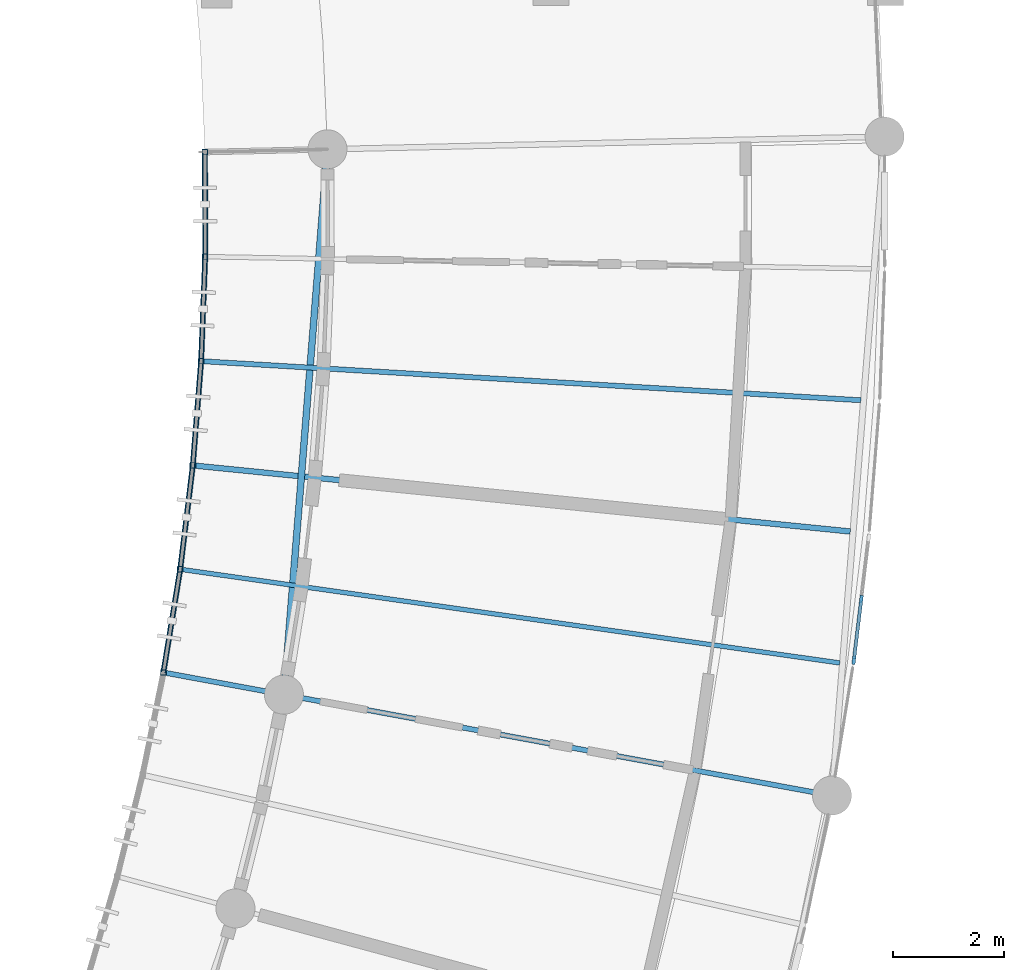
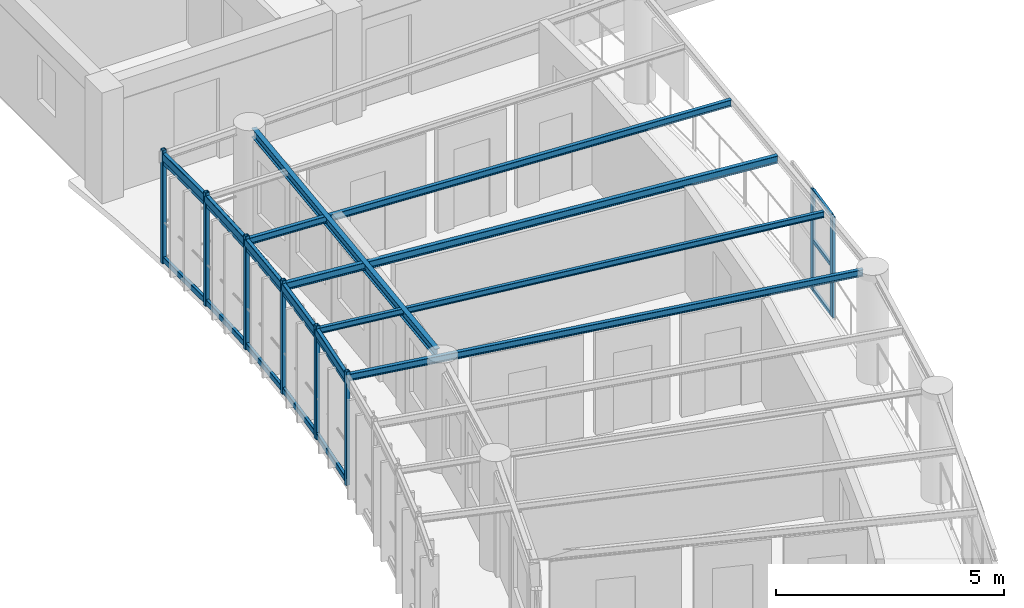
# One storey, part 22 of 100: 21 members, 10 beams, 1 element without a shape of its own.
"""IFC4 building model written with IfcOpenShell, lengths in metres."""

from ifc_helpers import new_model, si_unit, direction, frame, origin, origin_2d, place, context, subcontext, project, spatial, rectangle, hollow_rectangle, i_section, extrude, material, layer, layer_set, material_profile, profile_set, type_object, element, aggregate, save


model = new_model("IFC4")

# Units and contexts
model_context = context("Model", 3, precision=1e-05, world=origin(), true_north=direction((0.0, 1.0)))
body_context = subcontext(model_context, "Body", "Model", "MODEL_VIEW")
ifc_project = project(units=[si_unit("LENGTHUNIT", "METRE"), si_unit("AREAUNIT", "SQUARE_METRE"), si_unit("VOLUMEUNIT", "CUBIC_METRE"), si_unit("PLANEANGLEUNIT", "RADIAN"), si_unit("MASSUNIT", "GRAM", prefix="KILO"), si_unit("POWERUNIT", "WATT"), si_unit("THERMODYNAMICTEMPERATUREUNIT", "KELVIN")], contexts=[model_context])

# Site, building, storey
site_placement = place(None, origin())
site = spatial("IfcSite", under=ifc_project, at=site_placement, CompositionType="ELEMENT")
building_placement = place(site_placement, origin())
building = spatial("IfcBuilding", under=site, at=building_placement, Name="Ruvembo Vaulted Housing Court", CompositionType="ELEMENT")
storey_placement = place(building_placement, frame((0.0, 0.0, 10.89990234375)))
storey = spatial("IfcBuildingStorey", under=building, at=storey_placement, Name="L03", CompositionType="ELEMENT", Elevation=10.89990234375)

# Beams
ifc_material_1 = material(Name="Steel S355J2", Category="steel")
ifc_material_profile_1 = material_profile(ifc_material_1, i_section(OverallWidth=0.08203125, OverallDepth=0.159912109375, WebThickness=0.0048828125, FlangeThickness=0.00732421875, FilletRadius=0.009033203125, at=origin_2d()), Name="IPE 160")
ifc_profile_set_1 = profile_set([ifc_material_profile_1], Name="Steel S355J2")
beam_type_1 = type_object("IfcBeamType", Name="BM-ST-IPE160", PredefinedType="JOIST", material=ifc_profile_set_1)
beam_1_placement = place(storey_placement, frame((59.180908203125, 65.875244140625, 2.860107421875), z_axis=(-0.990057887054, 0.140660514296, 0.0), x_axis=(-0.140660514296, -0.990057887054, 0.0)))
element("IfcBeam", 1, at=beam_1_placement, inside=storey, type_object=beam_type_1, Name="Scoop SC1 L03 Radial Steel Joist 15", PredefinedType="JOIST", context=body_context, shape_type="SweptSolid", body=[
    extrude(i_section(OverallWidth=0.08203125, OverallDepth=0.159912109375, WebThickness=0.0048828125, FlangeThickness=0.00732421875, FilletRadius=0.009033203125, at=origin_2d()), origin(), (0.0, 0.0, 1.0), 11.9951171875),
])
ifc_material_profile_2 = material_profile(ifc_material_1, i_section(OverallWidth=0.091064453125, OverallDepth=0.179931640625, WebThickness=0.00537109375, FlangeThickness=0.008056640625, FilletRadius=0.009033203125, at=origin_2d()), Name="IPE 180")
ifc_profile_set_2 = profile_set([ifc_material_profile_2], Name="Steel S355J2")
beam_type_2 = type_object("IfcBeamType", Name="BM-ST-IPE180", PredefinedType="JOIST", material=ifc_profile_set_2)
beam_2_placement = place(storey_placement, frame((58.814697265625, 63.537109375, 2.85009765625), z_axis=(-0.983464433081, 0.181101377311, 0.0), x_axis=(-0.181101377311, -0.983464433081, 0.0)))
element("IfcBeam", 2, at=beam_2_placement, inside=storey, type_object=beam_type_2, Name="Scoop SC1 L03 Radial Steel Joist 14", PredefinedType="JOIST", context=body_context, shape_type="SweptSolid", body=[
    extrude(i_section(OverallWidth=0.091064453125, OverallDepth=0.179931640625, WebThickness=0.00537109375, FlangeThickness=0.008056640625, FilletRadius=0.009033203125, at=origin_2d()), origin(), (0.0, 0.0, 1.0), 12.010009765625),
])
beam_3_placement = place(storey_placement, frame((59.55712890625, 70.589111328125, 2.85009765625), z_axis=(-0.99824745237, 0.059177899908, 0.0), x_axis=(-0.059177899908, -0.99824745237, 0.0)))
element("IfcBeam", 3, at=beam_3_placement, inside=storey, type_object=beam_type_2, Name="Scoop SC1 L03 Radial Steel Joist 17", PredefinedType="JOIST", context=body_context, shape_type="SweptSolid", body=[
    extrude(i_section(OverallWidth=0.091064453125, OverallDepth=0.179931640625, WebThickness=0.00537109375, FlangeThickness=0.008056640625, FilletRadius=0.009033203125, at=origin_2d()), origin(), (0.0, 0.0, 1.0), 11.89794921875),
])
ifc_material_profile_3 = material_profile(ifc_material_1, i_section(OverallWidth=0.10009765625, OverallDepth=0.199951171875, WebThickness=0.005615234375, FlangeThickness=0.008544921875, FilletRadius=0.011962890625, at=origin_2d()), Name="IPE 200")
ifc_profile_set_3 = profile_set([ifc_material_profile_3], Name="Steel S355J2")
beam_type_3 = type_object("IfcBeamType", Name="BM-ST-IPE200", PredefinedType="BEAM", material=ifc_profile_set_3)
beam_4_placement = place(storey_placement, frame((59.368896484375, 68.234130859375, 2.840087890625), z_axis=(-0.994986269959, 0.100011612287, 0.0), x_axis=(-0.100011612287, -0.994986269959, 0.0)))
element("IfcBeam", 4, at=beam_4_placement, inside=storey, type_object=beam_type_3, Name="Scoop SC1 L03 Radial Steel Joist 16", PredefinedType="BEAM", context=body_context, shape_type="SweptSolid", body=[
    extrude(i_section(OverallWidth=0.10009765625, OverallDepth=0.199951171875, WebThickness=0.005615234375, FlangeThickness=0.008544921875, FilletRadius=0.011962890625, at=origin_2d()), origin(), (0.0, 0.0, 1.0), 11.89794921875),
])
ifc_material_profile_4 = material_profile(ifc_material_1, i_section(OverallWidth=0.1201171875, OverallDepth=0.239990234375, WebThickness=0.006103515625, FlangeThickness=0.009765625, FilletRadius=0.014892578125, at=origin_2d()), Name="IPE 240")
ifc_profile_set_4 = profile_set([ifc_material_profile_4], Name="Steel S355J2")
beam_type_4 = type_object("IfcBeamType", Name="BM-ST-IPE240", PredefinedType="BEAM", material=ifc_profile_set_4)
beam_5_placement = place(storey_placement, frame((49.224609375, 65.53564453125, 2.822021484375), z_axis=(0.079577227317, 0.996828703887, 0.0), x_axis=(-0.996828703887, 0.079577227317, 0.0)))
element("IfcBeam", 5, at=beam_5_placement, inside=storey, type_object=beam_type_4, Name="Scoop SC1 L03 Chord Girder F14", PredefinedType="BEAM", context=body_context, shape_type="SweptSolid", body=[
    extrude(i_section(OverallWidth=0.1201171875, OverallDepth=0.239990234375, WebThickness=0.006103515625, FlangeThickness=0.009765625, FilletRadius=0.014892578125, at=origin_2d()), origin(), (0.0, 0.0, 1.0), 9.357421875),
])
ifc_material_profile_5 = material_profile(ifc_material_1, hollow_rectangle(XDim=0.10009765625, YDim=0.199951171875, WallThickness=0.008056640625, InnerFilletRadius=0.008056640625, OuterFilletRadius=0.01611328125, at=origin_2d()), Name="RHS 200x100x8")
ifc_profile_set_5 = profile_set([ifc_material_profile_5], Name="Steel S355J2")
beam_type_5 = type_object("IfcBeamType", Name="BM-ST-RHS200", PredefinedType="SPANDREL", material=ifc_profile_set_5)
beam_6_placement = place(storey_placement, frame((47.04248046875, 65.704833984375, 2.840087890625), z_axis=(0.16093792822, 0.98696452989, 0.0), x_axis=(-0.98696452989, 0.16093792822, 0.0)))
element("IfcBeam", 6, at=beam_6_placement, inside=storey, type_object=beam_type_5, Name="Scoop SC1 L03 Balcony Edge Spandrel 14", PredefinedType="SPANDREL", context=body_context, shape_type="SweptSolid", body=[
    extrude(hollow_rectangle(XDim=0.10009765625, YDim=0.199951171875, WallThickness=0.008056640625, InnerFilletRadius=0.008056640625, OuterFilletRadius=0.01611328125, at=origin_2d()), origin(), (0.0, 0.0, 1.0), 1.87646484375),
])
for number, where, z_axis, x_axis, name in (
    (7, (47.344482421875, 67.556884765625, 2.840087890625), (0.120335252624, 0.992733311104, 0.0), (-0.992733311104, 0.120335252624, 0.0), "Scoop SC1 L03 Balcony Edge Spandrel 15"),
    (8, (47.5703125, 69.419921875, 2.840087890625), (0.079610795565, 0.996826023552, 0.0), (-0.996826023552, 0.079610795565, 0.0), "Scoop SC1 L03 Balcony Edge Spandrel 16"),
    (9, (47.7197265625, 71.290771484375, 2.840087890625), (0.038767865725, 0.999248243725, 0.0), (-0.999248243725, 0.038767865725, 0.0), "Scoop SC1 L03 Balcony Edge Spandrel 17"),
):
    element("IfcBeam", number, at=place(storey_placement, frame(where, z_axis=z_axis, x_axis=x_axis)), inside=storey, type_object=beam_type_5, Name=name, PredefinedType="SPANDREL", context=body_context, shape_type="SweptSolid", body=[
        extrude(hollow_rectangle(XDim=0.10009765625, YDim=0.199951171875, WallThickness=0.008056640625, InnerFilletRadius=0.008056640625, OuterFilletRadius=0.01611328125, at=origin_2d()), origin(), (0.0, 0.0, 1.0), 1.876708984375),
    ])
beam_7_placement = place(storey_placement, frame((47.79248046875, 73.166015625, 2.840087890625), z_axis=(-0.002341913952, 0.999997257716, 0.0), x_axis=(-0.999997257716, -0.002341913952, 0.0)))
element("IfcBeam", 10, at=beam_7_placement, inside=storey, type_object=beam_type_5, Name="Scoop SC1 L03 Balcony Edge Spandrel 18", PredefinedType="SPANDREL", context=body_context, shape_type="SweptSolid", body=[
    extrude(hollow_rectangle(XDim=0.10009765625, YDim=0.199951171875, WallThickness=0.008056640625, InnerFilletRadius=0.008056640625, OuterFilletRadius=0.01611328125, at=origin_2d()), origin(), (0.0, 0.0, 1.0), 1.87646484375),
])

# Curtain wall, members
ifc_material_2 = material(Name="Anodised Aluminium and Solar-Control Glass", Category="aluminium")
ifc_layer = layer(ifc_material_2, 0.1201171875, Name="Anodised Aluminium and Solar-Control Glass")
ifc_layer_set = layer_set([ifc_layer], Name="Anodised Aluminium and Solar-Control Glass")
curtain_wall_type = type_object("IfcCurtainWallType", Name="CW-SCOOP-GAL", PredefinedType="NOTDEFINED", material=ifc_layer_set)
curtain_wall_placement = place(storey_placement, origin())
curtain_wall = element("IfcCurtainWall", 11, at=curtain_wall_placement, inside=storey, type_object=curtain_wall_type, Name="L03 Curtain Wall CW-L03-0020", PredefinedType="NOTDEFINED")
ifc_material_3 = material(Name="Anodised Aluminium 6063-T6", Category="aluminium")
ifc_material_profile_6 = material_profile(ifc_material_3, rectangle(XDim=0.06005859375, YDim=0.139892578125, at=origin_2d()), Name="ALU 60x140")
ifc_profile_set_6 = profile_set([ifc_material_profile_6], Name="Anodised Aluminium 6063-T6")
member_type_1 = type_object("IfcMemberType", Name="CW-MUL-60x140", PredefinedType="MULLION", material=ifc_profile_set_6)
member_1_placement = place(storey_placement, frame((59.432861328125, 65.920166015625, 0.0), z_axis=(0.0, 0.0, 1.0), x_axis=(-0.992725352187, 0.12040089337, 0.0)))
member_1 = element("IfcMember", 12, at=member_1_placement, type_object=member_type_1, Name="CW6 mullion 1", PredefinedType="MULLION", context=body_context, shape_type="SweptSolid", body=[
    extrude(rectangle(XDim=0.06005859375, YDim=0.139892578125, at=origin_2d()), origin(), (0.0, 0.0, 1.0), 2.697998046875),
])
member_2_placement = place(storey_placement, frame((59.566162109375, 67.0205078125, 0.0), z_axis=(0.0, 0.0, 1.0), x_axis=(-0.992725352187, 0.12040089337, 0.0)))
member_2 = element("IfcMember", 13, at=member_2_placement, type_object=member_type_1, Name="CW6 mullion 2", PredefinedType="MULLION", context=body_context, shape_type="SweptSolid", body=[
    extrude(rectangle(XDim=0.06005859375, YDim=0.139892578125, at=origin_2d()), origin(), (0.0, 0.0, 1.0), 2.697998046875),
])
ifc_material_profile_7 = material_profile(ifc_material_3, rectangle(XDim=0.06005859375, YDim=0.10009765625, at=origin_2d()), Name="ALU 60x100")
ifc_profile_set_7 = profile_set([ifc_material_profile_7], Name="Anodised Aluminium 6063-T6")
member_type_2 = type_object("IfcMemberType", Name="CW-TRN-60x100", PredefinedType="USERDEFINED", material=ifc_profile_set_7)
member_3_placement = place(storey_placement, frame((59.4365234375, 65.949951171875, 0.030029296875), z_axis=(0.120393957765, 0.992726193335, 0.0), x_axis=(-0.992726193335, 0.120393957765, 0.0)))
member_3 = element("IfcMember", 14, at=member_3_placement, type_object=member_type_2, Name="CW6 transom 1.1", ObjectType="TRANSOM", PredefinedType="USERDEFINED", context=body_context, shape_type="SweptSolid", body=[
    extrude(rectangle(XDim=0.06005859375, YDim=0.10009765625, at=origin_2d()), origin(), (0.0, 0.0, 1.0), 1.04833984375),
])
member_4_placement = place(storey_placement, frame((59.4365234375, 65.949951171875, 1.34912109375), z_axis=(0.120393957765, 0.992726193335, 0.0), x_axis=(-0.992726193335, 0.120393957765, 0.0)))
member_4 = element("IfcMember", 15, at=member_4_placement, type_object=member_type_2, Name="CW6 transom 1.2", ObjectType="TRANSOM", PredefinedType="USERDEFINED", context=body_context, shape_type="SweptSolid", body=[
    extrude(rectangle(XDim=0.06005859375, YDim=0.10009765625, at=origin_2d()), origin(), (0.0, 0.0, 1.0), 1.04833984375),
])
member_5_placement = place(storey_placement, frame((59.4365234375, 65.949951171875, 2.668212890625), z_axis=(0.120393957765, 0.992726193335, 0.0), x_axis=(-0.992726193335, 0.120393957765, 0.0)))
member_5 = element("IfcMember", 16, at=member_5_placement, type_object=member_type_2, Name="CW6 transom 1.3", ObjectType="TRANSOM", PredefinedType="USERDEFINED", context=body_context, shape_type="SweptSolid", body=[
    extrude(rectangle(XDim=0.06005859375, YDim=0.10009765625, at=origin_2d()), origin(), (0.0, 0.0, 1.0), 1.04833984375),
])
aggregate(curtain_wall, [member_1, member_2, member_3, member_4, member_5])

# Members
ifc_material_profile_8 = material_profile(ifc_material_1, hollow_rectangle(XDim=0.06005859375, YDim=0.1201171875, WallThickness=0.0048828125, InnerFilletRadius=0.0048828125, OuterFilletRadius=0.010009765625, at=origin_2d()), Name="RHS 120x60x5")
ifc_profile_set_8 = profile_set([ifc_material_profile_8], Name="Steel S355J2")
member_type_3 = type_object("IfcMemberType", Name="MEM-CAR-RHS120", PredefinedType="CHORD", material=ifc_profile_set_8)
member_6_placement = place(storey_placement, frame((47.04248046875, 65.704833984375, 2.68310546875), z_axis=(0.16093792822, 0.98696452989, 0.0), x_axis=(-0.98696452989, 0.16093792822, 0.0)))
element("IfcMember", 17, at=member_6_placement, inside=storey, type_object=member_type_3, Name="Scoop SC1 L03 Upper Louvre Carrier Rail 14", PredefinedType="CHORD", context=body_context, shape_type="SweptSolid", body=[
    extrude(hollow_rectangle(XDim=0.06005859375, YDim=0.1201171875, WallThickness=0.0048828125, InnerFilletRadius=0.0048828125, OuterFilletRadius=0.010009765625, at=origin_2d()), origin(), (0.0, 0.0, 1.0), 1.87646484375),
])
for number, where, z_axis, x_axis, name in (
    (18, (47.344482421875, 67.556884765625, 2.68310546875), (0.120335252624, 0.992733311104, 0.0), (-0.992733311104, 0.120335252624, 0.0), "Scoop SC1 L03 Upper Louvre Carrier Rail 15"),
    (19, (47.5703125, 69.419921875, 2.68310546875), (0.079610795565, 0.996826023552, 0.0), (-0.996826023552, 0.079610795565, 0.0), "Scoop SC1 L03 Upper Louvre Carrier Rail 16"),
    (20, (47.7197265625, 71.290771484375, 2.68310546875), (0.038767865725, 0.999248243725, 0.0), (-0.999248243725, 0.038767865725, 0.0), "Scoop SC1 L03 Upper Louvre Carrier Rail 17"),
):
    element("IfcMember", number, at=place(storey_placement, frame(where, z_axis=z_axis, x_axis=x_axis)), inside=storey, type_object=member_type_3, Name=name, PredefinedType="CHORD", context=body_context, shape_type="SweptSolid", body=[
        extrude(hollow_rectangle(XDim=0.06005859375, YDim=0.1201171875, WallThickness=0.0048828125, InnerFilletRadius=0.0048828125, OuterFilletRadius=0.010009765625, at=origin_2d()), origin(), (0.0, 0.0, 1.0), 1.876708984375),
    ])
member_7_placement = place(storey_placement, frame((47.79248046875, 73.166015625, 2.68310546875), z_axis=(-0.002341913952, 0.999997257716, 0.0), x_axis=(-0.999997257716, -0.002341913952, 0.0)))
element("IfcMember", 21, at=member_7_placement, inside=storey, type_object=member_type_3, Name="Scoop SC1 L03 Upper Louvre Carrier Rail 18", PredefinedType="CHORD", context=body_context, shape_type="SweptSolid", body=[
    extrude(hollow_rectangle(XDim=0.06005859375, YDim=0.1201171875, WallThickness=0.0048828125, InnerFilletRadius=0.0048828125, OuterFilletRadius=0.010009765625, at=origin_2d()), origin(), (0.0, 0.0, 1.0), 1.87646484375),
])
ifc_material_profile_9 = material_profile(ifc_material_1, hollow_rectangle(XDim=0.080078125, YDim=0.14990234375, WallThickness=0.00634765625, InnerFilletRadius=0.00634765625, OuterFilletRadius=0.0126953125, at=origin_2d()), Name="RHS 150x80x6.3")
ifc_profile_set_9 = profile_set([ifc_material_profile_9], Name="Steel S355J2")
member_type_4 = type_object("IfcMemberType", Name="MEM-CAR-RHS150", PredefinedType="CHORD", material=ifc_profile_set_9)
member_8_placement = place(storey_placement, frame((47.04248046875, 65.704833984375, 0.09521484375), z_axis=(0.16093792822, 0.98696452989, 0.0), x_axis=(-0.98696452989, 0.16093792822, 0.0)))
element("IfcMember", 22, at=member_8_placement, inside=storey, type_object=member_type_4, Name="Scoop SC1 L03 Lower Louvre Carrier Rail 14", PredefinedType="CHORD", context=body_context, shape_type="SweptSolid", body=[
    extrude(hollow_rectangle(XDim=0.080078125, YDim=0.14990234375, WallThickness=0.00634765625, InnerFilletRadius=0.00634765625, OuterFilletRadius=0.0126953125, at=origin_2d()), origin(), (0.0, 0.0, 1.0), 1.87646484375),
])
for number, where, z_axis, x_axis, name in (
    (23, (47.344482421875, 67.556884765625, 0.09521484375), (0.120335252624, 0.992733311104, 0.0), (-0.992733311104, 0.120335252624, 0.0), "Scoop SC1 L03 Lower Louvre Carrier Rail 15"),
    (24, (47.5703125, 69.419921875, 0.09521484375), (0.079610795565, 0.996826023552, 0.0), (-0.996826023552, 0.079610795565, 0.0), "Scoop SC1 L03 Lower Louvre Carrier Rail 16"),
    (25, (47.7197265625, 71.290771484375, 0.09521484375), (0.038767865725, 0.999248243725, 0.0), (-0.999248243725, 0.038767865725, 0.0), "Scoop SC1 L03 Lower Louvre Carrier Rail 17"),
):
    element("IfcMember", number, at=place(storey_placement, frame(where, z_axis=z_axis, x_axis=x_axis)), inside=storey, type_object=member_type_4, Name=name, PredefinedType="CHORD", context=body_context, shape_type="SweptSolid", body=[
        extrude(hollow_rectangle(XDim=0.080078125, YDim=0.14990234375, WallThickness=0.00634765625, InnerFilletRadius=0.00634765625, OuterFilletRadius=0.0126953125, at=origin_2d()), origin(), (0.0, 0.0, 1.0), 1.876708984375),
    ])
member_9_placement = place(storey_placement, frame((47.79248046875, 73.166015625, 0.09521484375), z_axis=(-0.002341913952, 0.999997257716, 0.0), x_axis=(-0.999997257716, -0.002341913952, 0.0)))
element("IfcMember", 26, at=member_9_placement, inside=storey, type_object=member_type_4, Name="Scoop SC1 L03 Lower Louvre Carrier Rail 18", PredefinedType="CHORD", context=body_context, shape_type="SweptSolid", body=[
    extrude(hollow_rectangle(XDim=0.080078125, YDim=0.14990234375, WallThickness=0.00634765625, InnerFilletRadius=0.00634765625, OuterFilletRadius=0.0126953125, at=origin_2d()), origin(), (0.0, 0.0, 1.0), 1.87646484375),
])
ifc_material_profile_10 = material_profile(ifc_material_1, hollow_rectangle(XDim=0.10009765625, YDim=0.10009765625, WallThickness=0.00634765625, InnerFilletRadius=0.00634765625, OuterFilletRadius=0.0126953125, at=origin_2d()), Name="SHS 100x100x6.3")
ifc_profile_set_10 = profile_set([ifc_material_profile_10], Name="Steel S355J2")
member_type_5 = type_object("IfcMemberType", Name="MEM-FRM-SHS100", PredefinedType="STRUT", material=ifc_profile_set_10)
for number, where, z_axis, x_axis, name in (
    (27, (47.04248046875, 65.704833984375, -0.014892578125), (0.0, 0.0, 1.0), (1.0, 0.0, 0.0), "Scoop SC1 L03 Louvre Frame Post 14"),
    (28, (47.344482421875, 67.556884765625, -0.014892578125), (0.0, 0.0, 1.0), (1.0, 0.0, 0.0), "Scoop SC1 L03 Louvre Frame Post 15"),
    (29, (47.5703125, 69.419921875, -0.014892578125), (0.0, 0.0, 1.0), (1.0, 0.0, 0.0), "Scoop SC1 L03 Louvre Frame Post 16"),
    (30, (47.7197265625, 71.290771484375, -0.014892578125), (0.0, 0.0, 1.0), (1.0, 0.0, 0.0), "Scoop SC1 L03 Louvre Frame Post 17"),
    (31, (47.79248046875, 73.166015625, -0.014892578125), (0.0, 0.0, 1.0), (1.0, 0.0, 0.0), "Scoop SC1 L03 Louvre Frame Post 18"),
    (32, (47.7880859375, 75.04248046875, -0.014892578125), (0.0, 0.0, 1.0), (1.0, 0.0, 0.0), "Scoop SC1 L03 Louvre End Post"),
):
    element("IfcMember", number, at=place(storey_placement, frame(where, z_axis=z_axis, x_axis=x_axis)), inside=storey, type_object=member_type_5, Name=name, PredefinedType="STRUT", context=body_context, shape_type="SweptSolid", body=[
        extrude(hollow_rectangle(XDim=0.10009765625, YDim=0.10009765625, WallThickness=0.00634765625, InnerFilletRadius=0.00634765625, OuterFilletRadius=0.0126953125, at=origin_2d()), origin(), (0.0, 0.0, 1.0), 3.032958984375),
    ])

save(model, "model.ifc")
